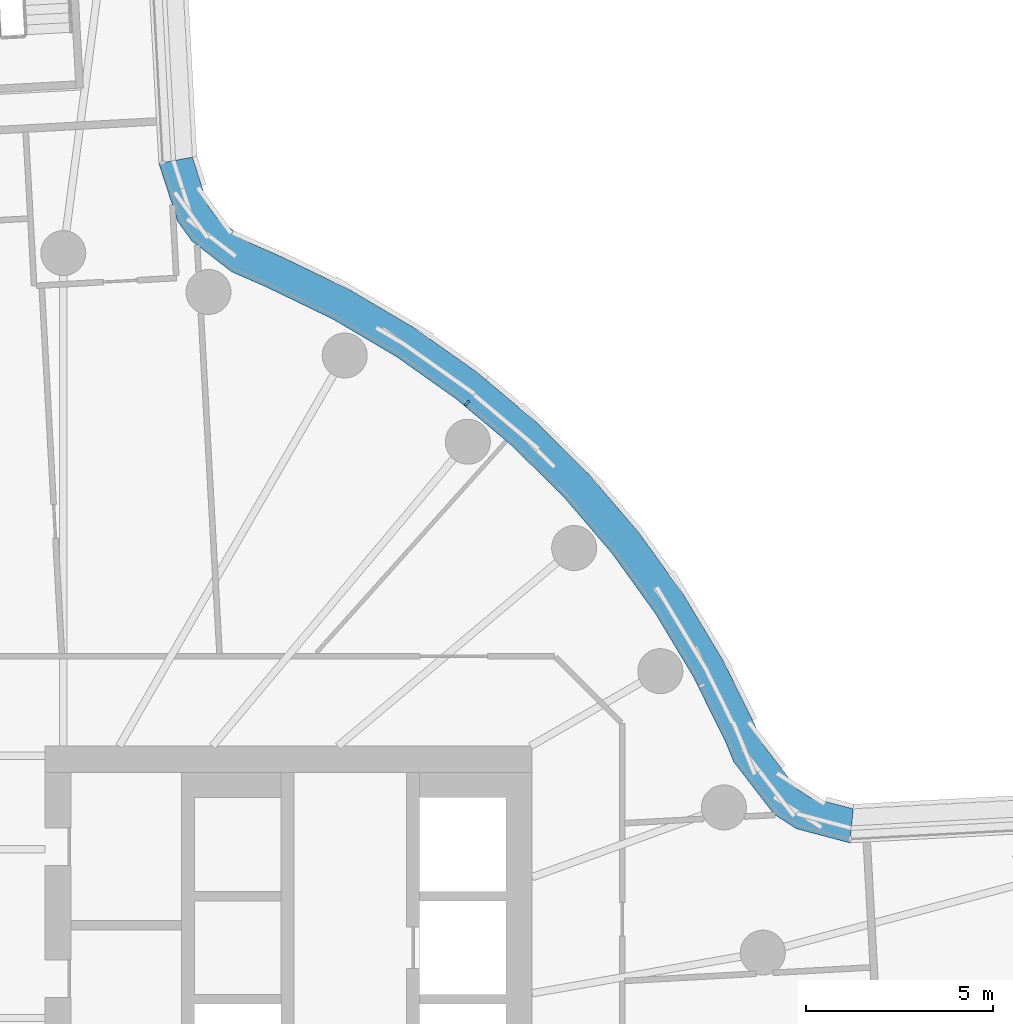
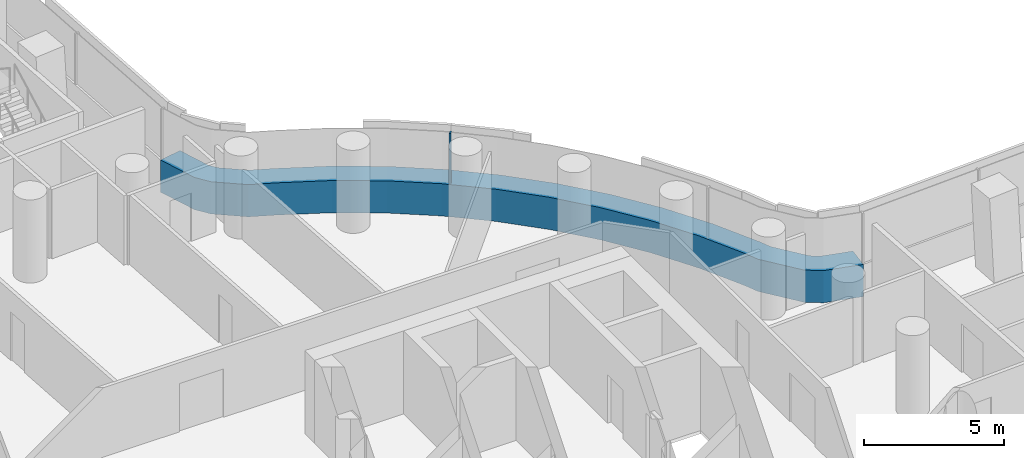
# One storey, part 16 of 31: 2 members, 1 element without a shape of its own.
"""IFC4 building model written with IfcOpenShell, lengths in metres."""

from ifc_helpers import new_model, si_unit, direction, frame, origin, origin_2d, place, context, subcontext, project, spatial, polyline, rectangle, outline, extrude, material, layer, layer_set, material_profile, profile_set, type_object, element, aggregate, save


model = new_model("IFC4")

# Units and contexts
model_context = context("Model", 3, precision=1e-05, world=origin(), true_north=direction((0.0, 1.0)))
body_context = subcontext(model_context, "Body", "Model", "MODEL_VIEW")
ifc_project = project(units=[si_unit("LENGTHUNIT", "METRE"), si_unit("AREAUNIT", "SQUARE_METRE"), si_unit("VOLUMEUNIT", "CUBIC_METRE"), si_unit("PLANEANGLEUNIT", "RADIAN"), si_unit("MASSUNIT", "GRAM", prefix="KILO")], contexts=[model_context])

# Site, building, storey
site_placement = place(None, origin())
site = spatial("IfcSite", under=ifc_project, at=site_placement, CompositionType="ELEMENT")
building_placement = place(site_placement, origin())
building = spatial("IfcBuilding", under=site, at=building_placement, Name="Tamarind Cross Interchange Tower", CompositionType="ELEMENT")
storey_placement = place(building_placement, frame((0.0, 0.0, 45.25)))
storey = spatial("IfcBuildingStorey", under=building, at=storey_placement, Name="L09", CompositionType="ELEMENT", Elevation=45.25)

# Curtain wall, members
ifc_material_1 = material(Name="Aluminium 6063-T6", Category="aluminium")
ifc_layer = layer(ifc_material_1, 0.159912109375)
ifc_layer_set = layer_set([ifc_layer], Name="Aluminium 6063-T6")
curtain_wall_type = type_object("IfcCurtainWallType", Name="Office curtain wall, 9.0 m bays", PredefinedType="NOTDEFINED", material=ifc_layer_set)
curtain_wall_placement = place(storey_placement, origin())
curtain_wall = element("IfcCurtainWall", 1, at=curtain_wall_placement, inside=storey, type_object=curtain_wall_type, Name="CWS-L09-10", PredefinedType="NOTDEFINED")
ifc_material_2 = material(Name="Aluminium and insulated spandrel panel", Category="aluminium")
member_type_1 = type_object("IfcMemberType", Name="Floor-edge blade transom", PredefinedType="USERDEFINED", material=ifc_material_2)
member_1_placement = place(storey_placement, origin())
member_1 = element("IfcMember", 2, at=member_1_placement, type_object=member_type_1, Name="CWT-L09-10", ObjectType="TRANSOM", PredefinedType="USERDEFINED", context=body_context, shape_type="SweptSolid", body=[
    extrude(outline(polyline([(24.969970703125, 6.921142578125), (23.5478515625, 7.297607421875), (22.958984375, 7.6767578125), (21.874755859375, 9.08349609375), (21.659423828125, 9.610107421875), (20.791015625, 11.367431640625), (19.78125, 13.045654296875), (18.636474609375, 14.634521484375), (17.3642578125, 16.12353515625), (15.973388671875, 17.50244140625), (14.4736328125, 18.76171875), (12.874755859375, 19.892822265625), (11.188232421875, 20.88818359375), (9.4189453125, 21.74365234375), (8.486083984375, 22.15234375), (7.424560546875, 22.972900390625), (7.04736328125, 23.49365234375), (6.54345703125, 25.04296875), (7.435546875, 25.20947265625), (7.859375, 23.90673828125), (8.077392578125, 23.605712890625), (8.94873046875, 22.93212890625), (9.79541015625, 22.561279296875), (11.613525390625, 21.68212890625), (13.3642578125, 20.64892578125), (15.023681640625, 19.474853515625), (16.580810546875, 18.167724609375), (18.0244140625, 16.736572265625), (19.344970703125, 15.19091796875), (20.533203125, 13.54150390625), (21.581298828125, 11.799560546875), (22.48046875, 9.980224609375), (22.661865234375, 9.536376953125), (23.576904296875, 8.34912109375), (23.91552734375, 8.131103515625), (25.063720703125, 7.827392578125), (24.969970703125, 6.921142578125)])), origin(), (0.0, 0.0, 1.0), 1.39990234375),
])
ifc_material_profile = material_profile(ifc_material_1, rectangle(XDim=0.06005859375, YDim=0.159912109375, at=origin_2d()), Name="Mullion CW1")
ifc_profile_set = profile_set([ifc_material_profile], Name="Aluminium 6063-T6")
member_type_2 = type_object("IfcMemberType", Name="Mullion CW1", PredefinedType="MULLION", material=ifc_profile_set)
member_2_placement = place(storey_placement, frame((14.763916015625, 18.648681640625, 1.39990234375), z_axis=(0.0, 0.0, 1.0), x_axis=(-0.765858396687, 0.643009266048, 0.0)))
member_2 = element("IfcMember", 3, at=member_2_placement, type_object=member_type_2, Name="CWM-L09-10-02", PredefinedType="MULLION", context=body_context, shape_type="SweptSolid", body=[
    extrude(rectangle(XDim=0.06005859375, YDim=0.159912109375, at=origin_2d()), origin(), (0.0, 0.0, 1.0), 2.210205078125),
])
aggregate(curtain_wall, [member_2, member_1])

save(model, "model.ifc")
